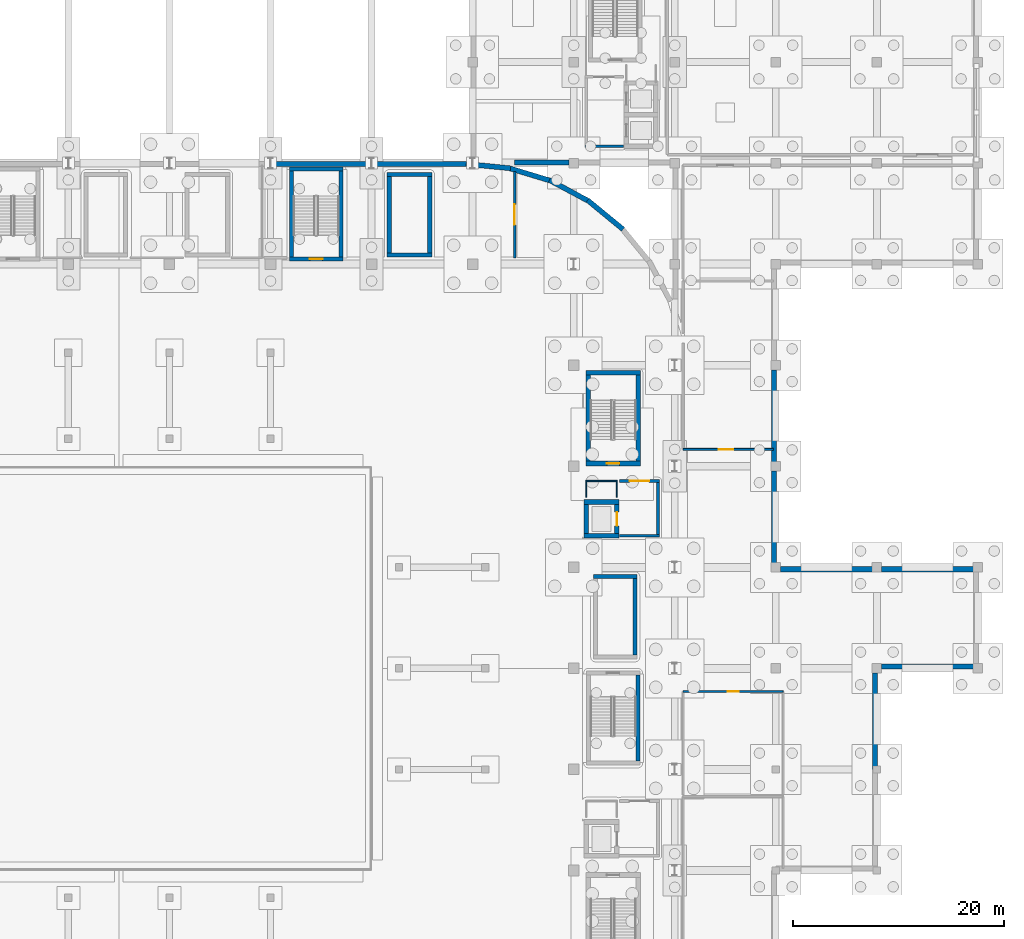
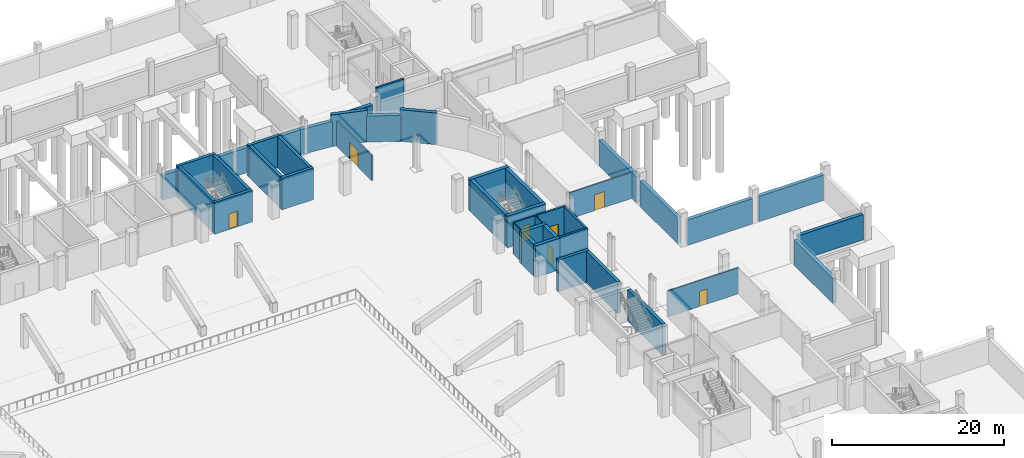
# One storey, part 34 of 67: 42 walls, 7 doors, 7 openings.
"""IFC4 building model written with IfcOpenShell, lengths in metres."""

from ifc_helpers import new_model, si_unit, direction, frame, frame_2d, origin, place, context, subcontext, project, spatial, rectangle, extrude, material, layer, layer_set, type_object, element, fill, save


model = new_model("IFC4")

# Units and contexts
model_context = context("Model", 3, precision=1e-05, world=origin(), true_north=direction((0.0, 1.0)))
body_context = subcontext(model_context, "Body", "Model", "MODEL_VIEW")
ifc_project = project(units=[si_unit("LENGTHUNIT", "METRE"), si_unit("AREAUNIT", "SQUARE_METRE"), si_unit("VOLUMEUNIT", "CUBIC_METRE"), si_unit("PLANEANGLEUNIT", "RADIAN"), si_unit("MASSUNIT", "GRAM", prefix="KILO")], contexts=[model_context])

# Site, building, storey
site_placement = place(None, origin())
site = spatial("IfcSite", under=ifc_project, at=site_placement, CompositionType="ELEMENT")
building_placement = place(site_placement, origin())
building = spatial("IfcBuilding", under=site, at=building_placement, Name="Caelomonte Colonnade Arena", CompositionType="ELEMENT")
storey_placement = place(building_placement, frame((0.0, 0.0, -4.800048828125)))
storey = spatial("IfcBuildingStorey", under=building, at=storey_placement, Name="B1", CompositionType="ELEMENT", Elevation=-4.800048828125)

# Walls
ifc_material_1 = material(Name="Concrete C40/50", Category="concrete")
ifc_layer_1 = layer(ifc_material_1, 0.47998046875)
ifc_layer_set_1 = layer_set([ifc_layer_1], Name="Concrete C40/50")
wall_type_1 = type_object("IfcWallType", Name="ENV-WL-RET48", PredefinedType="USERDEFINED", material=ifc_layer_set_1)
wall_1_placement = place(storey_placement, frame((182.219970703125, 57.60009765625, 0.0), z_axis=(0.0, 0.0, 1.0), x_axis=(0.0, 1.0, 0.0)))
element("IfcWall", 1, at=wall_1_placement, inside=storey, type_object=wall_type_1, Name="B1 exterior retaining plinth wall EW-B1-0034", ObjectType="RETAINING WALL", PredefinedType="USERDEFINED", context=body_context, shape_type="SweptSolid", body=[
    extrude(rectangle(XDim=9.169921875, YDim=0.47998046875, at=frame_2d((4.5849609375, 0.0))), origin(), (0.0, 0.0, 1.0), 3.60009765625),
])
for number, where, z_axis, x_axis, name in (
    (2, (182.830078125, 67.3798828125, 0.0), (0.0, 0.0, 1.0), (1.0, 0.0, 0.0), "B1 exterior retaining plinth wall EW-B1-0035"),
    (3, (191.570068359375, 76.6201171875, 0.0), (0.0, 0.0, 1.0), (-1.0, 0.0, 0.0), "B1 exterior retaining plinth wall EW-B1-0037"),
    (4, (181.969970703125, 76.6201171875, 0.0), (0.0, 0.0, 1.0), (-1.0, 0.0, 0.0), "B1 exterior retaining plinth wall EW-B1-0038"),
):
    element("IfcWall", number, at=place(storey_placement, frame(where, z_axis=z_axis, x_axis=x_axis)), inside=storey, type_object=wall_type_1, Name=name, ObjectType="RETAINING WALL", PredefinedType="USERDEFINED", context=body_context, shape_type="SweptSolid", body=[
        extrude(rectangle(XDim=8.739990234375, YDim=0.47998046875, at=frame_2d((4.3701171875, 0.0))), origin(), (0.0, 0.0, 1.0), 3.60009765625),
    ])
for number, where, z_axis, x_axis, name in (
    (5, (172.6201171875, 77.22998046875, 0.0), (0.0, 0.0, 1.0), (0.0, 1.0, 0.0), "B1 exterior retaining plinth wall EW-B1-0039"),
    (6, (172.6201171875, 86.830078125, 0.0), (0.0, 0.0, 1.0), (0.0, 1.0, 0.0), "B1 exterior retaining plinth wall EW-B1-0040"),
):
    element("IfcWall", number, at=place(storey_placement, frame(where, z_axis=z_axis, x_axis=x_axis)), inside=storey, type_object=wall_type_1, Name=name, ObjectType="RETAINING WALL", PredefinedType="USERDEFINED", context=body_context, shape_type="SweptSolid", body=[
        extrude(rectangle(XDim=8.739990234375, YDim=0.47998046875, at=frame_2d((4.3701171875, 0.0))), origin(), (0.0, 0.0, 1.0), 3.699951171875),
    ])
wall_2_placement = place(storey_placement, frame((148.0, 115.280029296875, 0.0), z_axis=(0.0, 0.0, 1.0), x_axis=(1.0, 0.0, 0.0)))
element("IfcWall", 7, at=wall_2_placement, inside=storey, type_object=wall_type_1, Name="B1 exterior retaining plinth wall EW-B1-0093", ObjectType="RETAINING WALL", PredefinedType="USERDEFINED", context=body_context, shape_type="SweptSolid", body=[
    extrude(rectangle(XDim=5.169921875, YDim=0.47998046875, at=frame_2d((2.5849609375, 0.0))), origin(), (0.0, 0.0, 1.0), 3.572998046875),
])
wall_3_placement = place(storey_placement, frame((158.291259765625, 108.9111328125, 0.0), z_axis=(0.0, 0.0, 1.0), x_axis=(-0.772967672024, 0.634445409791, 0.0)))
element("IfcWall", 8, at=wall_3_placement, inside=storey, type_object=wall_type_1, Name="B1 exterior retaining plinth wall EW-B1-0099", ObjectType="RETAINING WALL", PredefinedType="USERDEFINED", context=body_context, shape_type="SweptSolid", body=[
    extrude(rectangle(XDim=4.35693359375, YDim=0.47998046875, at=frame_2d((2.178466796875, 0.0))), origin(), (0.0, 0.0, 1.0), 4.5),
])
wall_4_placement = place(storey_placement, frame((155.135009765625, 111.53369140625, 0.0), z_axis=(0.0, 0.0, 1.0), x_axis=(-0.881911985644, 0.47141409565, 0.0)))
element("IfcWall", 9, at=wall_4_placement, inside=storey, type_object=wall_type_1, Name="B1 exterior retaining plinth wall EW-B1-0100", ObjectType="RETAINING WALL", PredefinedType="USERDEFINED", context=body_context, shape_type="SweptSolid", body=[
    extrude(rectangle(XDim=4.3564453125, YDim=0.47998046875, at=frame_2d((2.17822265625, 0.0))), origin(), (0.0, 0.0, 1.0), 3.699951171875),
])
wall_5_placement = place(storey_placement, frame((151.528076171875, 113.489990234375, 0.0), z_axis=(0.0, 0.0, 1.0), x_axis=(-0.956928680947, 0.290323095156, 0.0)))
element("IfcWall", 10, at=wall_5_placement, inside=storey, type_object=wall_type_1, Name="B1 exterior retaining plinth wall EW-B1-0101", ObjectType="RETAINING WALL", PredefinedType="USERDEFINED", context=body_context, shape_type="SweptSolid", body=[
    extrude(rectangle(XDim=4.35693359375, YDim=0.47998046875, at=frame_2d((2.178466796875, 0.0))), origin(), (0.0, 0.0, 1.0), 4.5),
])
wall_6_placement = place(storey_placement, frame((147.6083984375, 114.705078125, 0.0), z_axis=(0.0, 0.0, 1.0), x_axis=(-0.995184426144, 0.098020191596, 0.0)))
element("IfcWall", 11, at=wall_6_placement, inside=storey, type_object=wall_type_1, Name="B1 exterior retaining plinth wall EW-B1-0102", ObjectType="RETAINING WALL", PredefinedType="USERDEFINED", context=body_context, shape_type="SweptSolid", body=[
    extrude(rectangle(XDim=4.23681640625, YDim=0.47998046875, at=frame_2d((2.118408203125, 0.0))), origin(), (0.0, 0.0, 1.0), 3.572998046875),
])
wall_7_placement = place(storey_placement, frame((143.39990234375, 115.1201171875, 0.0), z_axis=(0.0, 0.0, 1.0), x_axis=(-1.0, 0.0, 0.0)))
element("IfcWall", 12, at=wall_7_placement, inside=storey, type_object=wall_type_1, Name="B1 exterior retaining plinth wall EW-B1-0103", ObjectType="RETAINING WALL", PredefinedType="USERDEFINED", context=body_context, shape_type="SweptSolid", body=[
    extrude(rectangle(XDim=9.0, YDim=0.47998046875, at=frame_2d((4.5, 0.0))), origin(), (0.0, 0.0, 1.0), 3.572998046875),
])
wall_8_placement = place(storey_placement, frame((134.39990234375, 115.1201171875, 0.0), z_axis=(0.0, 0.0, 1.0), x_axis=(-1.0, 0.0, 0.0)))
element("IfcWall", 13, at=wall_8_placement, inside=storey, type_object=wall_type_1, Name="B1 exterior retaining plinth wall EW-B1-0104", ObjectType="RETAINING WALL", PredefinedType="USERDEFINED", context=body_context, shape_type="SweptSolid", body=[
    extrude(rectangle(XDim=9.599853515625, YDim=0.47998046875, at=frame_2d((4.7998046875, 0.0))), origin(), (0.0, 0.0, 1.0), 3.572998046875),
])
ifc_layer_2 = layer(ifc_material_1, 0.260009765625)
ifc_layer_set_2 = layer_set([ifc_layer_2], Name="Concrete C40/50")
wall_type_2 = type_object("IfcWallType", Name="INT-WL-FW26", PredefinedType="SOLIDWALL", material=ifc_layer_set_2)
wall_9_placement = place(storey_placement, frame((157.969970703125, 79.800048828125, 0.0), z_axis=(0.0, 0.0, 1.0), x_axis=(1.0, 0.0, 0.0)))
element("IfcWall", 14, at=wall_9_placement, inside=storey, type_object=wall_type_2, Name="FW-C3-LB B1 south enclosure wall", PredefinedType="SOLIDWALL", context=body_context, shape_type="SweptSolid", body=[
    extrude(rectangle(XDim=3.760009765625, YDim=0.260009765625, at=frame_2d((1.8798828125, 0.0))), origin(), (0.0, 0.0, 1.0), 4.5),
])

# Wall, opening, door
wall_10_placement = place(storey_placement, frame((161.72998046875, 85.0, 0.0), z_axis=(0.0, 0.0, 1.0), x_axis=(-1.0, 0.0, 0.0)))
wall_10 = element("IfcWall", 15, at=wall_10_placement, inside=storey, type_object=wall_type_2, Name="FW-C3-LB B1 north enclosure wall", PredefinedType="SOLIDWALL", context=body_context, shape_type="SweptSolid", body=[
    extrude(rectangle(XDim=3.760009765625, YDim=0.260009765625, at=frame_2d((1.8798828125, 0.0))), origin(), (0.0, 0.0, 1.0), 4.5),
])
opening_1_placement = place(wall_10_placement, frame((2.80517578125, 0.0, 0.0), z_axis=(0.0, 0.0, 1.0), x_axis=(-1.0, 0.0, 0.0)))
opening_1 = element("IfcOpeningElement", 16, at=opening_1_placement, cuts=wall_10, Name="Opening FD-2", PredefinedType="OPENING", context=body_context, shape_type="SweptSolid", body=[
    extrude(rectangle(XDim=1.85009765625, YDim=2.25, at=frame_2d((0.925048828125, 1.125))), frame((0.0, 0.139892578125, 0.0), z_axis=(0.0, -1.0, 0.0), x_axis=(1.0, 0.0, 0.0)), (0.0, 0.0, 1.0), 0.280029296875),
])
ifc_material_2 = material(Name="Fire-rated double steel door", Category="steel")
door_type_1 = type_object("IfcDoorType", Name="INT-DR-FD90B", OperationType="DOUBLE_DOOR_SINGLE_SWING", PredefinedType="DOOR", material=ifc_material_2)
door_1_placement = place(opening_1_placement, origin())
door_1 = element("IfcDoor", 17, at=door_1_placement, inside=storey, type_object=door_type_1, Name="Core C3 B1 lobby fire door", OperationType="DOUBLE_DOOR_SINGLE_SWING", OverallHeight=2.25, OverallWidth=1.85009765625, PredefinedType="DOOR", context=body_context, shape_type="SweptSolid", body=[
    extrude(rectangle(XDim=1.85009765625, YDim=2.25, at=frame_2d((0.925048828125, 1.125))), frame((0.0, 0.02490234375, 0.0), z_axis=(0.0, -1.0, 0.0), x_axis=(1.0, 0.0, 0.0)), (0.0, 0.0, 1.0), 0.050048828125),
])
fill(opening_1, door_1)

# Walls
wall_11_placement = place(storey_placement, frame((161.60009765625, 79.929931640625, 0.0), z_axis=(0.0, 0.0, 1.0), x_axis=(0.0, 1.0, 0.0)))
element("IfcWall", 18, at=wall_11_placement, inside=storey, type_object=wall_type_2, Name="FW-C3-LB B1 east enclosure wall", PredefinedType="SOLIDWALL", context=body_context, shape_type="SweptSolid", body=[
    extrude(rectangle(XDim=4.940185546875, YDim=0.260009765625, at=frame_2d((2.47021484375, 0.0))), origin(), (0.0, 0.0, 1.0), 4.5),
])
wall_12_placement = place(storey_placement, frame((154.669921875, 116.800048828125, 0.0), z_axis=(0.0, 0.0, 1.0), x_axis=(1.0, 0.0, 0.0)))
element("IfcWall", 19, at=wall_12_placement, inside=storey, type_object=wall_type_2, Name="FW-C6-LB B1 south enclosure wall", PredefinedType="SOLIDWALL", context=body_context, shape_type="SweptSolid", body=[
    extrude(rectangle(XDim=3.66015625, YDim=0.260009765625, at=frame_2d((1.830078125, 0.0))), origin(), (0.0, 0.0, 1.0), 4.5),
])
ifc_material_3 = material(Name="Service shaft lining partition")
ifc_layer_3 = layer(ifc_material_3, 0.10009765625)
ifc_layer_set_3 = layer_set([ifc_layer_3], Name="Service shaft lining partition")
wall_type_3 = type_object("IfcWallType", Name="INT-WL-PT10", PredefinedType="PARTITIONING", material=ifc_layer_set_3)
wall_13_placement = place(storey_placement, frame((157.75, 85.0, 0.0), z_axis=(0.0, 0.0, 1.0), x_axis=(-1.0, 0.0, 0.0)))
element("IfcWall", 20, at=wall_13_placement, inside=storey, type_object=wall_type_3, Name="FW-C3-RS B1 north enclosure wall", PredefinedType="PARTITIONING", context=body_context, shape_type="SweptSolid", body=[
    extrude(rectangle(XDim=3.0, YDim=0.10009765625, at=frame_2d((1.5, 0.0))), origin(), (0.0, 0.0, 1.0), 4.5),
])
for number, where, z_axis, x_axis, name in (
    (21, (154.800048828125, 84.949951171875, 0.0), (0.0, 0.0, 1.0), (0.0, -1.0, 0.0), "FW-C3-RS B1 west enclosure wall"),
    (22, (157.699951171875, 83.449951171875, 0.0), (0.0, 0.0, 1.0), (0.0, 1.0, 0.0), "FW-C3-RS B1 east enclosure wall"),
):
    element("IfcWall", number, at=place(storey_placement, frame(where, z_axis=z_axis, x_axis=x_axis)), inside=storey, type_object=wall_type_3, Name=name, PredefinedType="PARTITIONING", context=body_context, shape_type="SweptSolid", body=[
        extrude(rectangle(XDim=1.5, YDim=0.10009765625, at=frame_2d((0.75, 0.0))), origin(), (0.0, 0.0, 1.0), 4.5),
    ])

# Wall, opening, door
ifc_material_4 = material(Name="Moisture-resistant WC partition")
ifc_layer_4 = layer(ifc_material_4, 0.159912109375)
ifc_layer_set_4 = layer_set([ifc_layer_4], Name="Moisture-resistant WC partition")
wall_type_4 = type_object("IfcWallType", Name="INT-WL-PT16", PredefinedType="PARTITIONING", material=ifc_layer_set_4)
wall_14_placement = place(storey_placement, frame((164.0, 65.0, 0.0), z_axis=(0.0, 0.0, 1.0), x_axis=(1.0, 0.0, 0.0)))
wall_14 = element("IfcWall", 23, at=wall_14_placement, inside=storey, type_object=wall_type_4, Name="B1 Event Level Accessible WC partition 25", PredefinedType="PARTITIONING", context=body_context, shape_type="SweptSolid", body=[
    extrude(rectangle(XDim=9.5, YDim=0.159912109375, at=frame_2d((4.75, 0.0))), origin(), (0.0, 0.0, 1.0), 3.699951171875),
])
opening_2_placement = place(wall_14_placement, frame((4.239990234375, 0.0, 0.0), z_axis=(0.0, 0.0, 1.0), x_axis=(1.0, 0.0, 0.0)))
opening_2 = element("IfcOpeningElement", 24, at=opening_2_placement, cuts=wall_14, Name="Opening D-B1-006", PredefinedType="OPENING", context=body_context, shape_type="SweptSolid", body=[
    extrude(rectangle(XDim=1.02001953125, YDim=2.14990234375, at=frame_2d((0.510009765625, 1.074951171875))), frame((0.0, 0.08984375, 0.0), z_axis=(0.0, -1.0, 0.0), x_axis=(1.0, 0.0, 0.0)), (0.0, 0.0, 1.0), 0.179931640625),
])
ifc_material_5 = material(Name="Accessible WC outward-swing door")
door_type_2 = type_object("IfcDoorType", Name="INT-DR-AWC", OperationType="NOTDEFINED", PredefinedType="DOOR", material=ifc_material_5)
door_2_placement = place(opening_2_placement, origin())
door_2 = element("IfcDoor", 25, at=door_2_placement, inside=storey, type_object=door_type_2, Name="B1 Event Level Accessible WC door D-B1-006", OperationType="SINGLE_SWING_RIGHT", OverallHeight=2.14990234375, OverallWidth=1.02001953125, PredefinedType="DOOR", context=body_context, shape_type="SweptSolid", body=[
    extrude(rectangle(XDim=1.02001953125, YDim=2.14990234375, at=frame_2d((0.510009765625, 1.074951171875))), frame((0.0, 0.02490234375, 0.0), z_axis=(0.0, -1.0, 0.0), x_axis=(1.0, 0.0, 0.0)), (0.0, 0.0, 1.0), 0.050048828125),
])
fill(opening_2, door_2)

ifc_material_6 = material(Name="Acoustic gypsum stud partition")
ifc_layer_5 = layer(ifc_material_6, 0.179931640625)
ifc_layer_set_5 = layer_set([ifc_layer_5], Name="Acoustic gypsum stud partition")
wall_type_5 = type_object("IfcWallType", Name="INT-WL-PT18", PredefinedType="PARTITIONING", material=ifc_layer_set_5)
wall_15_placement = place(storey_placement, frame((172.580078125, 88.0, 0.0), z_axis=(0.0, 0.0, 1.0), x_axis=(-1.0, 0.0, 0.0)))
wall_15 = element("IfcWall", 26, at=wall_15_placement, inside=storey, type_object=wall_type_5, Name="B1 Event First Aid Clinic partition 28", PredefinedType="PARTITIONING", context=body_context, shape_type="SweptSolid", body=[
    extrude(rectangle(XDim=8.580078125, YDim=0.179931640625, at=frame_2d((4.2900390625, 0.0))), origin(), (0.0, 0.0, 1.0), 3.699951171875),
])
opening_3_placement = place(wall_15_placement, frame((3.842529296875, 0.0, 0.0), z_axis=(0.0, 0.0, 1.0), x_axis=(1.0, 0.0, 0.0)))
opening_3 = element("IfcOpeningElement", 27, at=opening_3_placement, cuts=wall_15, Name="Opening D-B1-007", PredefinedType="OPENING", context=body_context, shape_type="SweptSolid", body=[
    extrude(rectangle(XDim=1.35009765625, YDim=2.25, at=frame_2d((0.675048828125, 1.125))), frame((0.0, 0.099853515625, 0.0), z_axis=(0.0, -1.0, 0.0), x_axis=(1.0, 0.0, 0.0)), (0.0, 0.0, 1.0), 0.199951171875),
])
ifc_material_7 = material(Name="Wide athlete locker suite door")
door_type_3 = type_object("IfcDoorType", Name="INT-DR-ATH", OperationType="NOTDEFINED", PredefinedType="DOOR", material=ifc_material_7)
door_3_placement = place(opening_3_placement, origin())
door_3 = element("IfcDoor", 28, at=door_3_placement, inside=storey, type_object=door_type_3, Name="B1 Event First Aid Clinic door D-B1-007", OperationType="SINGLE_SWING_LEFT", OverallHeight=2.25, OverallWidth=1.35009765625, PredefinedType="DOOR", context=body_context, shape_type="SweptSolid", body=[
    extrude(rectangle(XDim=1.35009765625, YDim=2.25, at=frame_2d((0.675048828125, 1.125))), frame((0.0, 0.02490234375, 0.0), z_axis=(0.0, -1.0, 0.0), x_axis=(1.0, 0.0, 0.0)), (0.0, 0.0, 1.0), 0.050048828125),
])
fill(opening_3, door_3)

ifc_material_8 = material(Name="Acoustic masonry blockwork", Category="masonry")
ifc_layer_6 = layer(ifc_material_8, 0.219970703125)
ifc_layer_set_6 = layer_set([ifc_layer_6], Name="Acoustic masonry blockwork")
wall_type_6 = type_object("IfcWallType", Name="INT-WL-PT22", PredefinedType="PARTITIONING", material=ifc_layer_set_6)
wall_16_placement = place(storey_placement, frame((148.0, 114.4140625, 0.0), z_axis=(0.0, 0.0, 1.0), x_axis=(0.0, -1.0, 0.0)))
wall_16 = element("IfcWall", 29, at=wall_16_placement, inside=storey, type_object=wall_type_6, Name="B1 Court Equipment Store partition 19", PredefinedType="PARTITIONING", context=body_context, shape_type="SweptSolid", body=[
    extrude(rectangle(XDim=8.214111328125, YDim=0.219970703125, at=frame_2d((4.10693359375, 0.0))), origin(), (0.0, 0.0, 1.0), 3.572998046875),
])
opening_4_placement = place(wall_16_placement, frame((3.132080078125, 0.0, 0.0), z_axis=(0.0, 0.0, 1.0), x_axis=(1.0, 0.0, 0.0)))
opening_4 = element("IfcOpeningElement", 30, at=opening_4_placement, cuts=wall_16, Name="Opening D-B1-004", PredefinedType="OPENING", context=body_context, shape_type="SweptSolid", body=[
    extrude(rectangle(XDim=1.949951171875, YDim=2.35009765625, at=frame_2d((0.97509765625, 1.175048828125))), frame((0.0, 0.119873046875, 0.0), z_axis=(0.0, -1.0, 0.0), x_axis=(1.0, 0.0, 0.0)), (0.0, 0.0, 1.0), 0.239990234375),
])
ifc_material_9 = material(Name="Double hollow-metal plant room door")
door_type_4 = type_object("IfcDoorType", Name="INT-DR-PLT", OperationType="DOUBLE_DOOR_SINGLE_SWING", PredefinedType="DOOR", material=ifc_material_9)
door_4_placement = place(opening_4_placement, origin())
door_4 = element("IfcDoor", 31, at=door_4_placement, inside=storey, type_object=door_type_4, Name="B1 Court Equipment Store door D-B1-004", OperationType="DOUBLE_DOOR_SINGLE_SWING", OverallHeight=2.35009765625, OverallWidth=1.949951171875, PredefinedType="DOOR", context=body_context, shape_type="SweptSolid", body=[
    extrude(rectangle(XDim=1.949951171875, YDim=2.35009765625, at=frame_2d((0.97509765625, 1.175048828125))), frame((0.0, 0.02490234375, 0.0), z_axis=(0.0, -1.0, 0.0), x_axis=(1.0, 0.0, 0.0)), (0.0, 0.0, 1.0), 0.050048828125),
])
fill(opening_4, door_4)

# Wall
ifc_material_10 = material(Name="Concrete C50/60", Category="concrete")
ifc_layer_7 = layer(ifc_material_10, 0.39990234375)
ifc_layer_set_7 = layer_set([ifc_layer_7], Name="Concrete C50/60")
wall_type_7 = type_object("IfcWallType", Name="INT-WL-SH40", PredefinedType="SHEAR", material=ifc_layer_set_7)
wall_17_placement = place(storey_placement, frame((159.699951171875, 58.39990234375, 0.0), z_axis=(0.0, 0.0, 1.0), x_axis=(0.0, 1.0, 0.0)))
element("IfcWall", 32, at=wall_17_placement, inside=storey, type_object=wall_type_7, Name="CW-ST-10 B1 east enclosure wall", PredefinedType="SHEAR", context=body_context, shape_type="SweptSolid", body=[
    extrude(rectangle(XDim=8.150146484375, YDim=0.39990234375, at=frame_2d((4.0751953125, 0.0))), origin(), (0.0, 0.0, 1.0), 4.5),
])

# Wall, opening, door
wall_18_placement = place(storey_placement, frame((126.60009765625, 106.10009765625, 0.0), z_axis=(0.0, 0.0, 1.0), x_axis=(1.0, 0.0, 0.0)))
wall_18 = element("IfcWall", 33, at=wall_18_placement, inside=storey, type_object=wall_type_7, Name="CW-ST-16 B1 south enclosure wall", PredefinedType="SHEAR", context=body_context, shape_type="SweptSolid", body=[
    extrude(rectangle(XDim=5.099853515625, YDim=0.39990234375, at=frame_2d((2.5498046875, 0.0))), origin(), (0.0, 0.0, 1.0), 4.5),
])
opening_5_placement = place(wall_18_placement, frame((3.14990234375, 0.0, 0.0), z_axis=(0.0, 0.0, 1.0), x_axis=(-1.0, 0.0, 0.0)))
opening_5 = element("IfcOpeningElement", 34, at=opening_5_placement, cuts=wall_18, Name="Opening FD-1", PredefinedType="OPENING", context=body_context, shape_type="SweptSolid", body=[
    extrude(rectangle(XDim=1.199951171875, YDim=2.199951171875, at=frame_2d((0.60009765625, 1.10009765625))), frame((0.0, 0.2099609375, 0.0), z_axis=(0.0, -1.0, 0.0), x_axis=(1.0, 0.0, 0.0)), (0.0, 0.0, 1.0), 0.419921875),
])
ifc_material_11 = material(Name="Fire-rated steel door", Category="steel")
door_type_5 = type_object("IfcDoorType", Name="INT-DR-FD90A", OperationType="NOTDEFINED", PredefinedType="DOOR", material=ifc_material_11)
door_5_placement = place(opening_5_placement, origin())
door_5 = element("IfcDoor", 35, at=door_5_placement, inside=storey, type_object=door_type_5, Name="Protected exit stair ST-16 B1 fire door", OperationType="SINGLE_SWING_LEFT", OverallHeight=2.199951171875, OverallWidth=1.199951171875, PredefinedType="DOOR", context=body_context, shape_type="SweptSolid", body=[
    extrude(rectangle(XDim=1.199951171875, YDim=2.199951171875, at=frame_2d((0.60009765625, 1.10009765625))), frame((0.0, 0.02490234375, 0.0), z_axis=(0.0, -1.0, 0.0), x_axis=(1.0, 0.0, 0.0)), (0.0, 0.0, 1.0), 0.050048828125),
])
fill(opening_5, door_5)

# Walls
wall_19_placement = place(storey_placement, frame((131.699951171875, 114.64990234375, 0.0), z_axis=(0.0, 0.0, 1.0), x_axis=(-1.0, 0.0, 0.0)))
element("IfcWall", 36, at=wall_19_placement, inside=storey, type_object=wall_type_7, Name="CW-ST-16 B1 north enclosure wall", PredefinedType="SHEAR", context=body_context, shape_type="SweptSolid", body=[
    extrude(rectangle(XDim=5.099853515625, YDim=0.39990234375, at=frame_2d((2.5498046875, 0.0))), origin(), (0.0, 0.0, 1.0), 4.5),
])
for number, where, z_axis, x_axis, name in (
    (37, (126.800048828125, 114.449951171875, 0.0), (0.0, 0.0, 1.0), (0.0, -1.0, 0.0), "CW-ST-16 B1 west enclosure wall"),
    (38, (131.5, 106.300048828125, 0.0), (0.0, 0.0, 1.0), (0.0, 1.0, 0.0), "CW-ST-16 B1 east enclosure wall"),
):
    element("IfcWall", number, at=place(storey_placement, frame(where, z_axis=z_axis, x_axis=x_axis)), inside=storey, type_object=wall_type_7, Name=name, PredefinedType="SHEAR", context=body_context, shape_type="SweptSolid", body=[
        extrude(rectangle(XDim=8.14990234375, YDim=0.39990234375, at=frame_2d((4.074951171875, 0.0))), origin(), (0.0, 0.0, 1.0), 4.5),
    ])
wall_20_placement = place(storey_placement, frame((159.6298828125, 75.929931640625, 0.0), z_axis=(0.0, 0.0, 1.0), x_axis=(-1.0, 0.0, 0.0)))
element("IfcWall", 39, at=wall_20_placement, inside=storey, type_object=wall_type_7, Name="CW-ST-V08 B1 north enclosure wall", PredefinedType="SHEAR", context=body_context, shape_type="SweptSolid", body=[
    extrude(rectangle(XDim=4.159912109375, YDim=0.39990234375, at=frame_2d((2.080078125, 0.0))), origin(), (0.0, 0.0, 1.0), 4.5),
])
wall_21_placement = place(storey_placement, frame((159.429931640625, 68.469970703125, 0.0), z_axis=(0.0, 0.0, 1.0), x_axis=(0.0, 1.0, 0.0)))
element("IfcWall", 40, at=wall_21_placement, inside=storey, type_object=wall_type_7, Name="CW-ST-V08 B1 east enclosure wall", PredefinedType="SHEAR", context=body_context, shape_type="SweptSolid", body=[
    extrude(rectangle(XDim=7.260009765625, YDim=0.39990234375, at=frame_2d((3.6298828125, 0.0))), origin(), (0.0, 0.0, 1.0), 4.5),
])
for number, where, z_axis, x_axis, name in (
    (41, (135.8701171875, 106.469970703125, 0.0), (0.0, 0.0, 1.0), (1.0, 0.0, 0.0), "CW-ST-V16 B1 south enclosure wall"),
    (42, (140.1298828125, 114.1298828125, 0.0), (0.0, 0.0, 1.0), (-1.0, 0.0, 0.0), "CW-ST-V16 B1 north enclosure wall"),
):
    element("IfcWall", number, at=place(storey_placement, frame(where, z_axis=z_axis, x_axis=x_axis)), inside=storey, type_object=wall_type_7, Name=name, PredefinedType="SHEAR", context=body_context, shape_type="SweptSolid", body=[
        extrude(rectangle(XDim=4.259765625, YDim=0.39990234375, at=frame_2d((2.1298828125, 0.0))), origin(), (0.0, 0.0, 1.0), 4.5),
    ])
for number, where, z_axis, x_axis, name in (
    (43, (136.070068359375, 113.929931640625, 0.0), (0.0, 0.0, 1.0), (0.0, -1.0, 0.0), "CW-ST-V16 B1 west enclosure wall"),
    (44, (139.929931640625, 106.669921875, 0.0), (0.0, 0.0, 1.0), (0.0, 1.0, 0.0), "CW-ST-V16 B1 east enclosure wall"),
):
    element("IfcWall", number, at=place(storey_placement, frame(where, z_axis=z_axis, x_axis=x_axis)), inside=storey, type_object=wall_type_7, Name=name, PredefinedType="SHEAR", context=body_context, shape_type="SweptSolid", body=[
        extrude(rectangle(XDim=7.260009765625, YDim=0.39990234375, at=frame_2d((3.6298828125, 0.0))), origin(), (0.0, 0.0, 1.0), 4.5),
    ])

# Wall, opening, door
ifc_layer_8 = layer(ifc_material_10, 0.449951171875)
ifc_layer_set_8 = layer_set([ifc_layer_8], Name="Concrete C50/60")
wall_type_8 = type_object("IfcWallType", Name="INT-WL-SH45", PredefinedType="SHEAR", material=ifc_layer_set_8)
wall_22_placement = place(storey_placement, frame((154.75, 86.675048828125, 0.0), z_axis=(0.0, 0.0, 1.0), x_axis=(1.0, 0.0, 0.0)))
wall_22 = element("IfcWall", 45, at=wall_22_placement, inside=storey, type_object=wall_type_8, Name="CW-C3-ST B1 south enclosure wall", PredefinedType="SHEAR", context=body_context, shape_type="SweptSolid", body=[
    extrude(rectangle(XDim=5.199951171875, YDim=0.449951171875, at=frame_2d((2.60009765625, 0.0))), origin(), (0.0, 0.0, 1.0), 4.5),
])
opening_6_placement = place(wall_22_placement, frame((3.199951171875, 0.0, 0.0), z_axis=(0.0, 0.0, 1.0), x_axis=(-1.0, 0.0, 0.0)))
opening_6 = element("IfcOpeningElement", 46, at=opening_6_placement, cuts=wall_22, Name="Opening FD-1", PredefinedType="OPENING", context=body_context, shape_type="SweptSolid", body=[
    extrude(rectangle(XDim=1.199951171875, YDim=2.199951171875, at=frame_2d((0.60009765625, 1.10009765625))), frame((0.0, 0.23486328125, 0.0), z_axis=(0.0, -1.0, 0.0), x_axis=(1.0, 0.0, 0.0)), (0.0, 0.0, 1.0), 0.469970703125),
])
door_6_placement = place(opening_6_placement, origin())
door_6 = element("IfcDoor", 47, at=door_6_placement, inside=storey, type_object=door_type_5, Name="Core C3 B1 exit stair fire door", OperationType="SINGLE_SWING_LEFT", OverallHeight=2.199951171875, OverallWidth=1.199951171875, PredefinedType="DOOR", context=body_context, shape_type="SweptSolid", body=[
    extrude(rectangle(XDim=1.199951171875, YDim=2.199951171875, at=frame_2d((0.60009765625, 1.10009765625))), frame((0.0, 0.02490234375, 0.0), z_axis=(0.0, -1.0, 0.0), x_axis=(1.0, 0.0, 0.0)), (0.0, 0.0, 1.0), 0.050048828125),
])
fill(opening_6, door_6)

# Walls
wall_23_placement = place(storey_placement, frame((159.949951171875, 95.27490234375, 0.0), z_axis=(0.0, 0.0, 1.0), x_axis=(-1.0, 0.0, 0.0)))
element("IfcWall", 48, at=wall_23_placement, inside=storey, type_object=wall_type_8, Name="CW-C3-ST B1 north enclosure wall", PredefinedType="SHEAR", context=body_context, shape_type="SweptSolid", body=[
    extrude(rectangle(XDim=5.199951171875, YDim=0.449951171875, at=frame_2d((2.60009765625, 0.0))), origin(), (0.0, 0.0, 1.0), 4.5),
])
for number, where, z_axis, x_axis, name in (
    (49, (154.97509765625, 95.050048828125, 0.0), (0.0, 0.0, 1.0), (0.0, -1.0, 0.0), "CW-C3-ST B1 west enclosure wall"),
    (50, (159.72509765625, 86.89990234375, 0.0), (0.0, 0.0, 1.0), (0.0, 1.0, 0.0), "CW-C3-ST B1 east enclosure wall"),
):
    element("IfcWall", number, at=place(storey_placement, frame(where, z_axis=z_axis, x_axis=x_axis)), inside=storey, type_object=wall_type_8, Name=name, PredefinedType="SHEAR", context=body_context, shape_type="SweptSolid", body=[
        extrude(rectangle(XDim=8.150146484375, YDim=0.449951171875, at=frame_2d((4.0751953125, 0.0))), origin(), (0.0, 0.0, 1.0), 4.5),
    ])
for number, where, z_axis, x_axis, name in (
    (51, (154.574951171875, 79.800048828125, 0.0), (0.0, 0.0, 1.0), (1.0, 0.0, 0.0), "CW-C3-LF B1 south enclosure wall"),
    (52, (157.925048828125, 83.0, 0.0), (0.0, 0.0, 1.0), (-1.0, 0.0, 0.0), "CW-C3-LF B1 north enclosure wall"),
):
    element("IfcWall", number, at=place(storey_placement, frame(where, z_axis=z_axis, x_axis=x_axis)), inside=storey, type_object=wall_type_8, Name=name, PredefinedType="SHEAR", context=body_context, shape_type="SweptSolid", body=[
        extrude(rectangle(XDim=3.35009765625, YDim=0.449951171875, at=frame_2d((1.675048828125, 0.0))), origin(), (0.0, 0.0, 1.0), 4.5),
    ])
wall_24_placement = place(storey_placement, frame((154.800048828125, 82.77490234375, 0.0), z_axis=(0.0, 0.0, 1.0), x_axis=(0.0, -1.0, 0.0)))
element("IfcWall", 53, at=wall_24_placement, inside=storey, type_object=wall_type_8, Name="CW-C3-LF B1 west enclosure wall", PredefinedType="SHEAR", context=body_context, shape_type="SweptSolid", body=[
    extrude(rectangle(XDim=2.75, YDim=0.449951171875, at=frame_2d((1.375, 0.0))), origin(), (0.0, 0.0, 1.0), 4.5),
])

# Wall, opening, door
wall_25_placement = place(storey_placement, frame((157.699951171875, 80.02490234375, 0.0), z_axis=(0.0, 0.0, 1.0), x_axis=(0.0, 1.0, 0.0)))
wall_25 = element("IfcWall", 54, at=wall_25_placement, inside=storey, type_object=wall_type_8, Name="CW-C3-LF B1 east enclosure wall", PredefinedType="SHEAR", context=body_context, shape_type="SweptSolid", body=[
    extrude(rectangle(XDim=2.75, YDim=0.449951171875, at=frame_2d((1.375, 0.0))), origin(), (0.0, 0.0, 1.0), 4.5),
])
opening_7_placement = place(wall_25_placement, frame((0.72509765625, 0.0, 0.0), z_axis=(0.0, 0.0, 1.0), x_axis=(1.0, 0.0, 0.0)))
opening_7 = element("IfcOpeningElement", 55, at=opening_7_placement, cuts=wall_25, Name="Opening LD-FL-03-B1", PredefinedType="OPENING", context=body_context, shape_type="SweptSolid", body=[
    extrude(rectangle(XDim=1.300048828125, YDim=2.25, at=frame_2d((0.64990234375, 1.125))), frame((0.0, 0.23486328125, 0.0), z_axis=(0.0, -1.0, 0.0), x_axis=(1.0, 0.0, 0.0)), (0.0, 0.0, 1.0), 0.469970703125),
])
ifc_material_12 = material(Name="Firefighting lift landing door")
door_type_6 = type_object("IfcDoorType", Name="INT-DR-LD2", OperationType="SLIDING_TO_RIGHT", PredefinedType="DOOR", material=ifc_material_12)
door_7_placement = place(opening_7_placement, origin())
door_7 = element("IfcDoor", 56, at=door_7_placement, inside=storey, type_object=door_type_6, Name="Lift FL-03 B1 sliding landing door", OperationType="SLIDING_TO_RIGHT", OverallHeight=2.25, OverallWidth=1.300048828125, PredefinedType="DOOR", context=body_context, shape_type="SweptSolid", body=[
    extrude(rectangle(XDim=1.300048828125, YDim=2.25, at=frame_2d((0.64990234375, 1.125))), frame((0.0, 0.02490234375, 0.0), z_axis=(0.0, -1.0, 0.0), x_axis=(1.0, 0.0, 0.0)), (0.0, 0.0, 1.0), 0.050048828125),
])
fill(opening_7, door_7)

save(model, "model.ifc")
